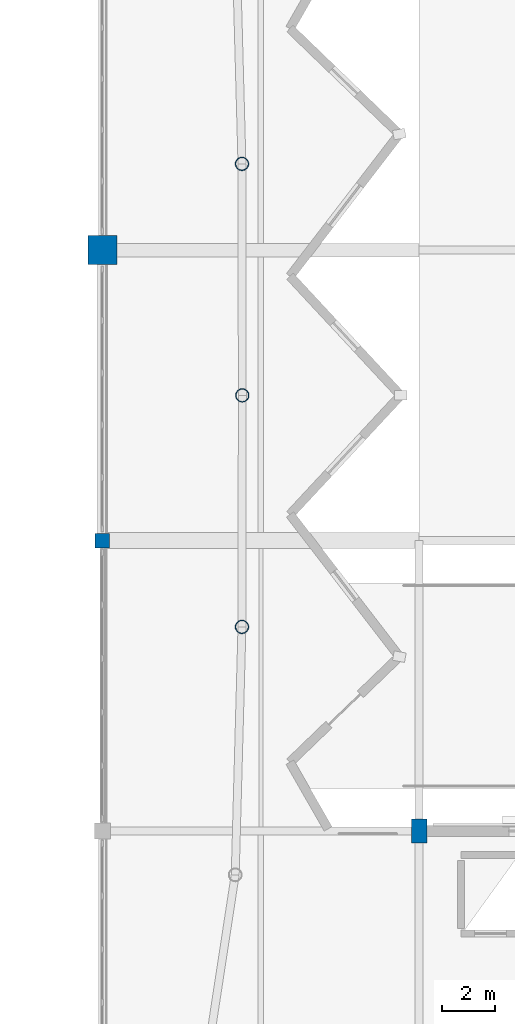
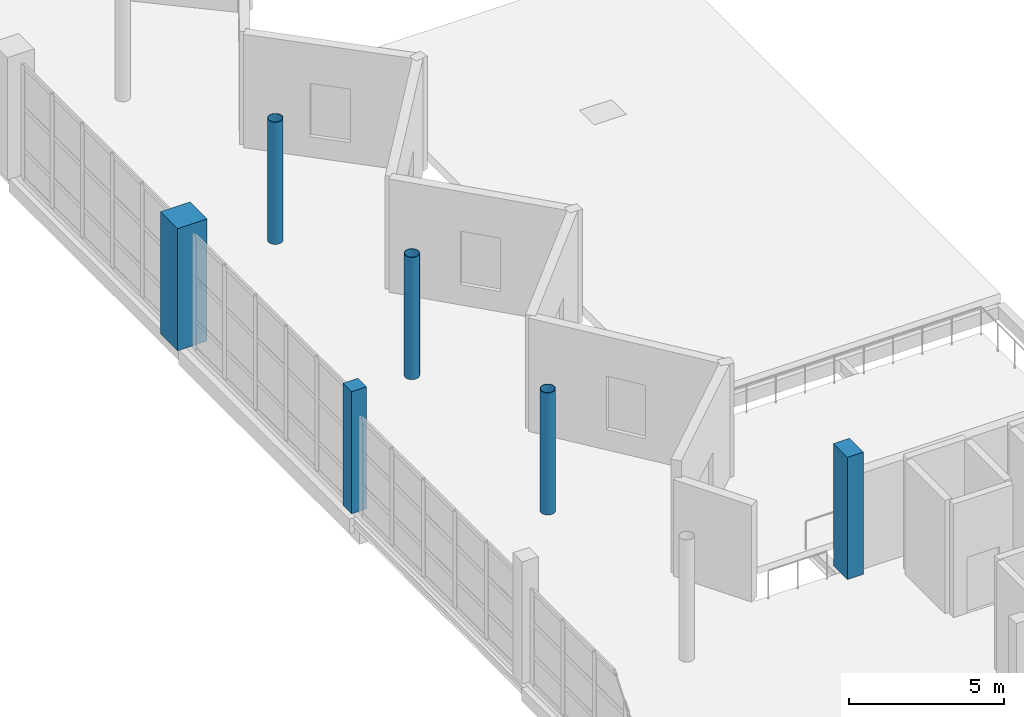
# One storey, part 5 of 53: 6 columns.
"""IFC4 building model written with IfcOpenShell, lengths in metres."""

from ifc_helpers import new_model, si_unit, direction, frame, origin, origin_2d, place, context, subcontext, project, spatial, rectangle, hollow_circle, extrude, material, material_profile, profile_set, type_object, element, save


model = new_model("IFC4")

# Units and contexts
model_context = context("Model", 3, precision=1e-05, world=origin(), true_north=direction((0.0, 1.0)))
body_context = subcontext(model_context, "Body", "Model", "MODEL_VIEW")
ifc_project = project(units=[si_unit("LENGTHUNIT", "METRE"), si_unit("AREAUNIT", "SQUARE_METRE"), si_unit("VOLUMEUNIT", "CUBIC_METRE"), si_unit("PLANEANGLEUNIT", "RADIAN"), si_unit("MASSUNIT", "GRAM", prefix="KILO")], contexts=[model_context])

# Site, building, storey
site_placement = place(None, origin())
site = spatial("IfcSite", under=ifc_project, at=site_placement, CompositionType="ELEMENT")
building_placement = place(site_placement, origin())
building = spatial("IfcBuilding", under=site, at=building_placement, Name="Luwafu Chhajja Arena", CompositionType="ELEMENT")
storey_placement = place(building_placement, frame((0.0, 0.0, 19.5)))
storey = spatial("IfcBuildingStorey", under=building, at=storey_placement, Name="L04", CompositionType="ELEMENT", Elevation=19.5)

# Columns
ifc_material_1 = material(Name="Concrete C40/50", Category="concrete")
ifc_material_profile_1 = material_profile(ifc_material_1, rectangle(XDim=1.10009765625, YDim=1.10009765625, at=origin_2d()), Name="RC 1100x1100")
ifc_profile_set_1 = profile_set([ifc_material_profile_1], Name="Concrete C40/50")
column_type_1 = type_object("IfcColumnType", Name="Bowl Rim Mega Column RC 1100", PredefinedType="COLUMN", material=ifc_profile_set_1)
column_1_placement = place(storey_placement, frame((140.0, 55.0, 0.0), z_axis=(0.0, 0.0, 1.0), x_axis=(1.0, 0.0, 0.0)))
element("IfcColumn", 1, at=column_1_placement, inside=storey, type_object=column_type_1, Name="L04 Grid Column 13/F", PredefinedType="COLUMN", context=body_context, shape_type="SweptSolid", body=[
    extrude(rectangle(XDim=1.10009765625, YDim=1.10009765625, at=origin_2d()), origin(), (0.0, 0.0, 1.0), 4.800048828125),
])
ifc_material_2 = material(Name="Concrete C35/45", Category="concrete")
ifc_material_profile_2 = material_profile(ifc_material_2, rectangle(XDim=0.550048828125, YDim=0.550048828125, at=origin_2d()), Name="RC 550x550")
ifc_profile_set_2 = profile_set([ifc_material_profile_2], Name="Concrete C35/45")
column_type_2 = type_object("IfcColumnType", Name="Gallery Column RC 550", PredefinedType="COLUMN", material=ifc_profile_set_2)
column_2_placement = place(storey_placement, frame((140.0, 44.0, 0.0), z_axis=(0.0, 0.0, 1.0), x_axis=(1.0, 0.0, 0.0)))
element("IfcColumn", 2, at=column_2_placement, inside=storey, type_object=column_type_2, Name="L04 Grid Column 13/E", PredefinedType="COLUMN", context=body_context, shape_type="SweptSolid", body=[
    extrude(rectangle(XDim=0.550048828125, YDim=0.550048828125, at=origin_2d()), origin(), (0.0, 0.0, 1.0), 4.800048828125),
])
ifc_material_3 = material(Name="Steel S355", Category="steel")
ifc_material_profile_3 = material_profile(ifc_material_3, hollow_circle(Radius=0.25390625, WallThickness=0.02001953125, at=origin_2d()), Name="CHS 508x20")
ifc_profile_set_3 = profile_set([ifc_material_profile_3], Name="Steel S355")
column_type_3 = type_object("IfcColumnType", Name="Steel Upper Drum Column CHS 508", PredefinedType="COLUMN", material=ifc_profile_set_3)
for number, where, z_axis, x_axis, name in (
    (3, (145.300048828125, 49.5, 0.0), (0.0, 0.0, 1.0), (1.0, 0.0, 0.0), "L04 Bowl Drum Column D01"),
    (4, (145.28759765625, 58.269775390625, 0.0), (0.0, 0.0, 1.0), (1.0, 0.0, 0.0), "L04 Bowl Drum Column D02"),
    (5, (145.28759765625, 40.730224609375, 0.0), (0.0, 0.0, 1.0), (1.0, 0.0, 0.0), "L04 Bowl Drum Column D32"),
):
    element("IfcColumn", number, at=place(storey_placement, frame(where, z_axis=z_axis, x_axis=x_axis)), inside=storey, type_object=column_type_3, Name=name, PredefinedType="COLUMN", context=body_context, shape_type="SweptSolid", body=[
        extrude(hollow_circle(Radius=0.25390625, WallThickness=0.02001953125, at=origin_2d()), origin(), (0.0, 0.0, 1.0), 4.800048828125),
    ])
ifc_material_profile_4 = material_profile(ifc_material_1, rectangle(XDim=0.60009765625, YDim=0.89990234375, at=origin_2d()), Name="RC 600x900")
ifc_profile_set_4 = profile_set([ifc_material_profile_4], Name="Concrete C40/50")
column_type_4 = type_object("IfcColumnType", Name="Warm-Up Hall Portal Column RC 600x900", PredefinedType="COLUMN", material=ifc_profile_set_4)
column_3_placement = place(storey_placement, frame((152.0, 33.0, 0.0), z_axis=(0.0, 0.0, 1.0), x_axis=(1.0, 0.0, 0.0)))
element("IfcColumn", 6, at=column_3_placement, inside=storey, type_object=column_type_4, Name="L04 Grid Column 14/D", PredefinedType="COLUMN", context=body_context, shape_type="SweptSolid", body=[
    extrude(rectangle(XDim=0.60009765625, YDim=0.89990234375, at=origin_2d()), origin(), (0.0, 0.0, 1.0), 4.800048828125),
])

save(model, "model.ifc")
